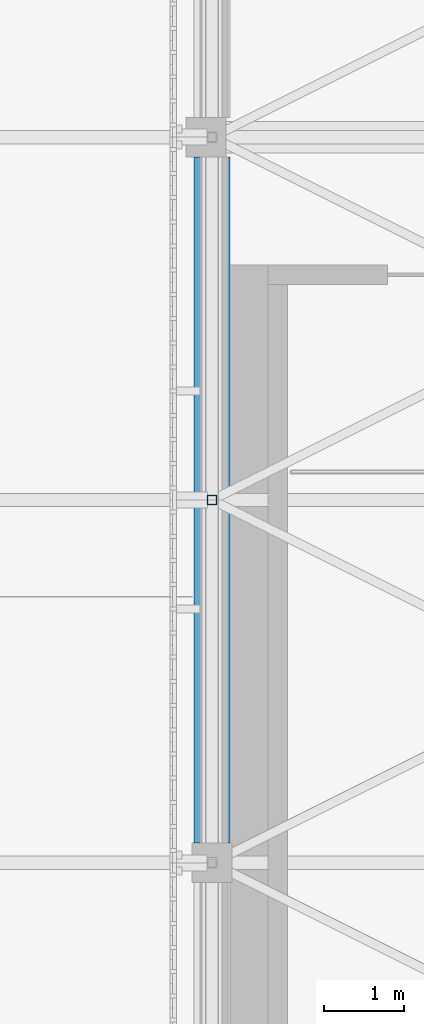
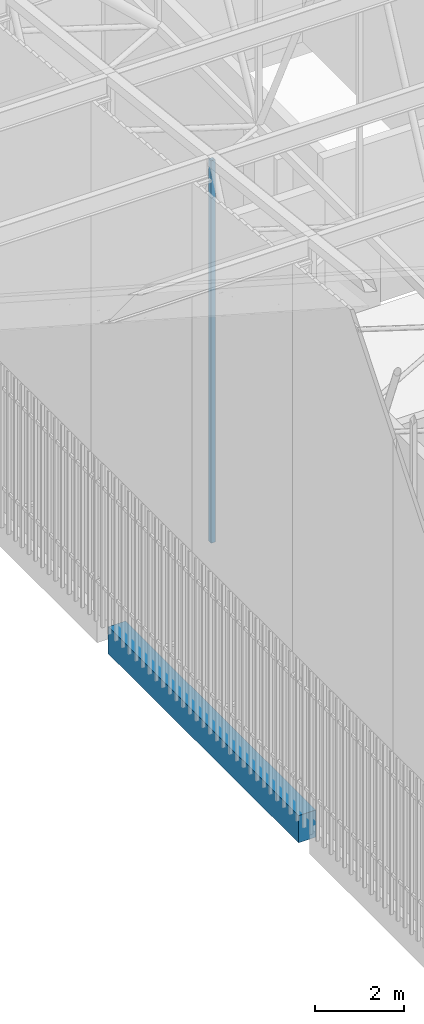
# One storey, part 182 of 500: 1 beam, 1 member.
"""IFC4 building model written with IfcOpenShell, lengths in metres."""

import ifcopenshell
import ifcopenshell.guid

model = None  # the IFC model being written
_history = None  # IfcOwnerHistory: only IFC2X3 demands one
_inside = {}  # id of a spatial element -> (the spatial element, [elements in it])
_under = {}  # id of a project, library or spatial element -> (it, [spatial elements below it])
_declared = {}  # id of a project -> (the project, [libraries it declares])
_typed = {}  # id of a type object -> (the type object, [elements of that type])
_made_of = {}  # id of a material, layer set ... -> (it, [elements and type objects made of it])


def new_model(schema):
    """Start an empty IFC model of exactly this schema.

    Asked for "IFC4X3", IfcOpenShell would pick the latest addendum, in which some entities
    have other attributes; the version numbers below select the first issue.
    IFC2X3 requires an IfcOwnerHistory on every rooted entity: one is made here for all.
    """
    global model, _history
    if schema == "IFC4X3":
        model = ifcopenshell.file(schema_version=(4, 3, 0, 0))
    else:
        model = ifcopenshell.file(schema=schema)
    _inside.clear()
    _under.clear()
    _declared.clear()
    _typed.clear()
    _made_of.clear()
    _history = None
    if model.schema == "IFC2X3":
        org = make("IfcOrganization", Name="unknown")
        user = make(
            "IfcPersonAndOrganization",
            ThePerson=make("IfcPerson", FamilyName="unknown"),
            TheOrganization=org,
        )
        app = make(
            "IfcApplication",
            ApplicationDeveloper=org,
            Version="unknown",
            ApplicationFullName="unknown",
            ApplicationIdentifier="unknown",
        )
        _history = make(
            "IfcOwnerHistory",
            OwningUser=user,
            OwningApplication=app,
            ChangeAction="ADDED",
            CreationDate=0,
        )
    return model


def make(cls, **values):
    """One entity of the class cls with the attributes given. An attribute that is None is left unset."""
    return model.create_entity(
        cls, **{name: value for name, value in values.items() if value is not None}
    )


def rooted(cls, **values):
    """An entity with a GlobalId (a new one), such as an element, a storey or a relation."""
    return make(cls, GlobalId=ifcopenshell.guid.new(), OwnerHistory=_history, **values)


def si_unit(unit_type, name, prefix=None):
    """IfcSIUnit, for example si_unit("LENGTHUNIT", "METRE", prefix="MILLI")."""
    return make("IfcSIUnit", UnitType=unit_type, Prefix=prefix, Name=name)


def assignment(units):
    """IfcUnitAssignment: the units of a project."""
    return None if units is None else make("IfcUnitAssignment", Units=units)


def point(xyz):
    """IfcCartesianPoint."""
    return None if xyz is None else make("IfcCartesianPoint", Coordinates=xyz)


def direction(xyz):
    """IfcDirection."""
    return None if xyz is None else make("IfcDirection", DirectionRatios=xyz)


def frame(location, z_axis=None, x_axis=None):
    """IfcAxis2Placement3D, a coordinate frame: its origin and axes. An axis left out is left unset."""
    return make(
        "IfcAxis2Placement3D",
        Location=point(location),
        Axis=direction(z_axis),
        RefDirection=direction(x_axis),
    )


def frame_2d(location, x_axis=None):
    """IfcAxis2Placement2D, a coordinate frame in the plane: its origin and x axis."""
    return make(
        "IfcAxis2Placement2D", Location=point(location), RefDirection=direction(x_axis)
    )


def origin():
    """The frame at (0, 0, 0) with its axes left unset."""
    return frame((0.0, 0.0, 0.0))


def origin_2d():
    """The frame at (0, 0) in the plane with its x axis left unset."""
    return frame_2d((0.0, 0.0))


def place(relative_to, where):
    """IfcLocalPlacement: puts the frame where relative to a parent placement (None: the world)."""
    return make(
        "IfcLocalPlacement", PlacementRelTo=relative_to, RelativePlacement=where
    )


def context(
    kind, dimensions, precision=None, world=None, true_north=None, identifier=None
):
    """IfcGeometricRepresentationContext, for example the 3D "Model" context."""
    return make(
        "IfcGeometricRepresentationContext",
        ContextIdentifier=identifier,
        ContextType=kind,
        CoordinateSpaceDimension=dimensions,
        Precision=precision,
        WorldCoordinateSystem=world,
        TrueNorth=true_north,
    )


def subcontext(parent, identifier, kind, view, scale=None):
    """IfcGeometricRepresentationSubContext, for example "Body" below "Model"."""
    return make(
        "IfcGeometricRepresentationSubContext",
        ContextIdentifier=identifier,
        ContextType=kind,
        ParentContext=parent,
        TargetScale=scale,
        TargetView=view,
    )


def project(units=None, contexts=None):
    """IfcProject with its units and contexts."""
    return rooted(
        "IfcProject",
        Name="project",
        RepresentationContexts=contexts,
        UnitsInContext=assignment(units),
    )


def spatial(cls, under=None, at=None, **own):
    """A site, building, storey or space (cls), placed at a placement, below another one or the project."""
    s = rooted(cls, ObjectPlacement=at, **own)
    if under is not None:
        _under.setdefault(under.id(), (under, []))[1].append(s)
    return s


def profile(cls, at=None, kind="AREA", **sizes):
    """A parametric profile (cls). Its sizes go by their IFC names, for example OverallWidth=200.0."""
    return make(cls, ProfileType=kind, Position=at, **sizes)


def rectangle(**sizes):
    """IfcRectangleProfileDef."""
    return profile("IfcRectangleProfileDef", **sizes)


def hollow_rectangle(**sizes):
    """IfcRectangleHollowProfileDef."""
    return profile("IfcRectangleHollowProfileDef", **sizes)


def extrude(swept, where, along, depth):
    """IfcExtrudedAreaSolid: the profile swept, set in the frame where, extruded along a direction by depth."""
    return make(
        "IfcExtrudedAreaSolid",
        SweptArea=swept,
        Position=where,
        ExtrudedDirection=direction(along),
        Depth=depth,
    )


def shape(context_of_items, identifier, shape_type, items):
    """IfcShapeRepresentation: the items that make up one representation, for example the "Body"."""
    return make(
        "IfcShapeRepresentation",
        ContextOfItems=context_of_items,
        RepresentationIdentifier=identifier,
        RepresentationType=shape_type,
        Items=items,
    )


def material(Name=None, Category=None):
    """IfcMaterial."""
    return make("IfcMaterial", Name=Name, Category=Category)


def material_profile(
    of_material, cross_section, Name=None, Category=None, Priority=None
):
    """IfcMaterialProfile: a cross section and its material."""
    return make(
        "IfcMaterialProfile",
        Name=Name,
        Material=of_material,
        Profile=cross_section,
        Priority=Priority,
        Category=Category,
    )


def profile_set(profiles, Name=None, composite=None):
    """IfcMaterialProfileSet."""
    return make(
        "IfcMaterialProfileSet",
        Name=Name,
        MaterialProfiles=profiles,
        CompositeProfile=composite,
    )


def made_of(thing, what):
    """Note that an element or type object is made of a material, layer set ...; save() writes the relation."""
    if what is not None:
        _made_of.setdefault(what.id(), (what, []))[1].append(thing)
    return thing


def type_object(cls, material=None, **own):
    """A type object (cls), such as IfcWallType, which elements share."""
    return made_of(rooted(cls, **own), material)


def element(
    cls,
    number,
    at=None,
    inside=None,
    cuts=None,
    type_object=None,
    material=None,
    context=None,
    identifier="Body",
    shape_type=None,
    held_by="IfcProductDefinitionShape",
    body=None,
    shapes=None,
    **own,
):
    """One element of the class cls, such as IfcWall. Its Tag is "e" and its number.

    at: its placement. inside: the storey or other place that contains it. cuts: it is an
    opening in that element (IfcRelVoidsElement). A single representation is given by context,
    identifier, shape_type and body (its items); several are given by shapes. held_by: the class
    of the entity that holds the representations. save() writes the other relations.
    """
    e = rooted(cls, Tag="e%d" % number, ObjectPlacement=at, **own)
    if body is not None:
        shapes = [shape(context, identifier, shape_type, body)]
    if shapes is not None:
        e.Representation = make(held_by, Representations=shapes)
    if inside is not None:
        _inside.setdefault(inside.id(), (inside, []))[1].append(e)
    if cuts is not None:
        rooted(
            "IfcRelVoidsElement", RelatingBuildingElement=cuts, RelatedOpeningElement=e
        )
    if type_object is not None:
        _typed.setdefault(type_object.id(), (type_object, []))[1].append(e)
    return made_of(e, material)


def aggregate(whole, parts):
    """IfcRelAggregates: a whole, such as a stair, and the parts it consists of."""
    return rooted("IfcRelAggregates", RelatingObject=whole, RelatedObjects=parts)


def save(model, path):
    """Write the relations noted so far, then the file.

    IfcRelAggregates (storeys below a building ...), IfcRelContainedInSpatialStructure (elements
    in a storey), IfcRelDefinesByType, IfcRelAssociatesMaterial and IfcRelDeclares: one each for
    every whole, place, type object, material and project.
    """
    for whole, parts in _under.values():
        aggregate(whole, parts)
    for where, things in _inside.values():
        rooted(
            "IfcRelContainedInSpatialStructure",
            RelatedElements=things,
            RelatingStructure=where,
        )
    for kind, things in _typed.values():
        rooted("IfcRelDefinesByType", RelatedObjects=things, RelatingType=kind)
    for what, things in _made_of.values():
        rooted("IfcRelAssociatesMaterial", RelatedObjects=things, RelatingMaterial=what)
    for by, libraries in _declared.values():
        rooted("IfcRelDeclares", RelatingContext=by, RelatedDefinitions=libraries)
    model.write(path)


model = new_model("IFC4")

# Units and contexts
model_context = context("Model", 3, precision=1e-05, world=origin(), true_north=direction((0.0, 1.0)))
body_context = subcontext(model_context, "Body", "Model", "MODEL_VIEW")
ifc_project = project(units=[si_unit("LENGTHUNIT", "METRE"), si_unit("AREAUNIT", "SQUARE_METRE"), si_unit("VOLUMEUNIT", "CUBIC_METRE"), si_unit("PLANEANGLEUNIT", "RADIAN"), si_unit("MASSUNIT", "GRAM", prefix="KILO")], contexts=[model_context])

# Site, building, storey
site_placement = place(None, origin())
site = spatial("IfcSite", under=ifc_project, at=site_placement, CompositionType="ELEMENT")
building_placement = place(site_placement, origin())
building = spatial("IfcBuilding", under=site, at=building_placement, Name="Shirokan Park Arena", CompositionType="ELEMENT")
storey_placement = place(building_placement, frame((0.0, 0.0, 29.1201171875)))
storey = spatial("IfcBuildingStorey", under=building, at=storey_placement, Name="L06", CompositionType="ELEMENT", Elevation=29.1201171875)

# Beam
ifc_material_1 = material(Name="Concrete C35", Category="concrete")
ifc_material_profile_1 = material_profile(ifc_material_1, rectangle(XDim=0.449951171875, YDim=0.75, at=origin_2d()), Name="450x750")
ifc_profile_set_1 = profile_set([ifc_material_profile_1], Name="Concrete C35")
beam_type = type_object("IfcBeamType", Name="RC girder 450x750", PredefinedType="BEAM", material=ifc_profile_set_1)
beam_placement = place(storey_placement, frame((0.0, 82.150146484375, -0.5751953125), z_axis=(0.0, 1.0, 0.0), x_axis=(-1.0, 0.0, 0.0)))
element("IfcBeam", 1, at=beam_placement, inside=storey, type_object=beam_type, Name="Girder 1K-1L L06", PredefinedType="BEAM", context=body_context, shape_type="SweptSolid", body=[
    extrude(rectangle(XDim=0.449951171875, YDim=0.75, at=origin_2d()), origin(), (0.0, 0.0, 1.0), 8.599853515625),
])

# Member
ifc_material_2 = material(Name="Steel ASTM A500 Grade C", Category="steel")
ifc_material_profile_2 = material_profile(ifc_material_2, hollow_rectangle(XDim=0.114013671875, YDim=0.114013671875, WallThickness=0.00634765625, at=origin_2d()), Name="HSS114.3X114.3X6.4")
ifc_profile_set_2 = profile_set([ifc_material_profile_2], Name="Steel ASTM A500 Grade C")
member_type = type_object("IfcMemberType", Name="Truss post HSS114.3X114.3X6.4", PredefinedType="POST", material=ifc_profile_set_2)
member_placement = place(storey_placement, frame((0.0, 86.449951171875, 4.677001953125), z_axis=(0.0, 0.0, 1.0), x_axis=(1.0, 0.0, 0.0)))
element("IfcMember", 2, at=member_placement, inside=storey, type_object=member_type, Name="Truss T01 post 22", PredefinedType="POST", context=body_context, shape_type="SweptSolid", body=[
    extrude(hollow_rectangle(XDim=0.114013671875, YDim=0.114013671875, WallThickness=0.00634765625, at=origin_2d()), origin(), (0.0, 0.0, 1.0), 10.5458984375),
])

save(model, "model.ifc")
